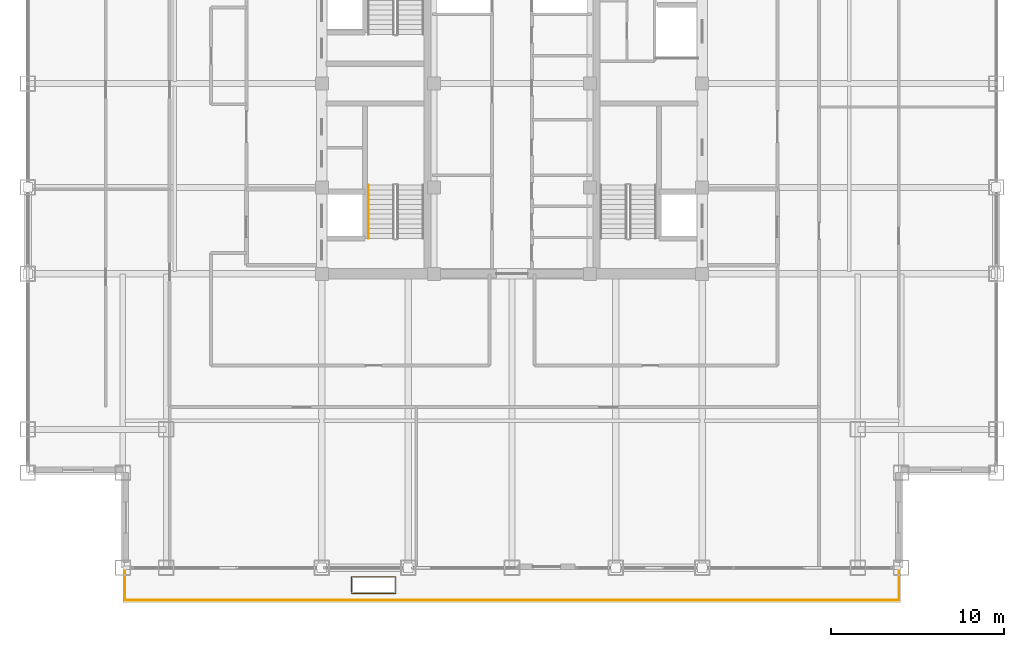
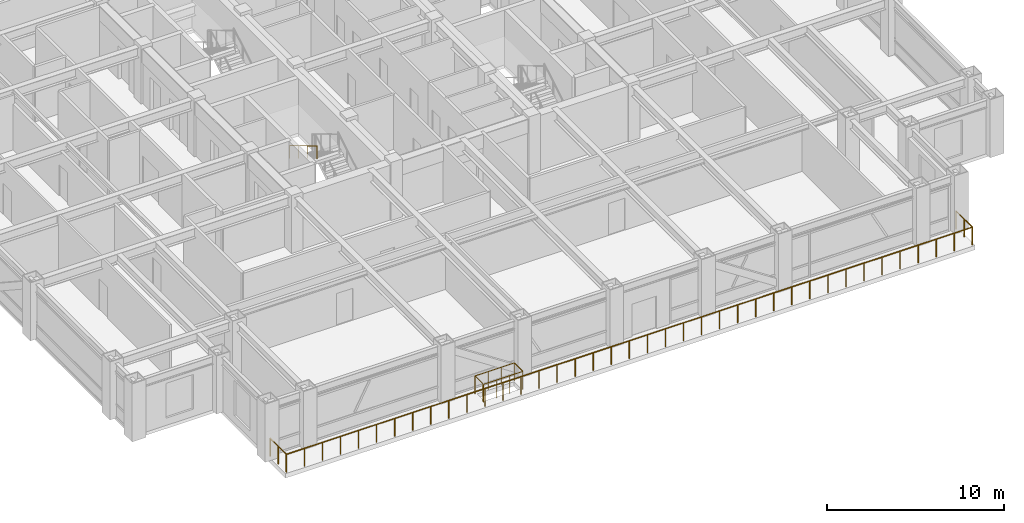
# One storey, part 30 of 32: 3 railings.
"""IFC4 building model written with IfcOpenShell, lengths in metres."""

from ifc_helpers import new_model, si_unit, direction, frame, origin, origin_2d, place, context, subcontext, project, spatial, circle, extrude, source, transform, mapped, material, type_object, element, save


model = new_model("IFC4")

# Units and contexts
model_context = context("Model", 3, precision=1e-05, world=origin(), true_north=direction((0.0, 1.0)))
body_context = subcontext(model_context, "Body", "Model", "MODEL_VIEW")
ifc_project = project(units=[si_unit("LENGTHUNIT", "METRE"), si_unit("AREAUNIT", "SQUARE_METRE"), si_unit("VOLUMEUNIT", "CUBIC_METRE"), si_unit("PLANEANGLEUNIT", "RADIAN"), si_unit("MASSUNIT", "GRAM", prefix="KILO")], contexts=[model_context])

# Site, building, storey
site_placement = place(None, origin())
site = spatial("IfcSite", under=ifc_project, at=site_placement, CompositionType="ELEMENT")
building_placement = place(site_placement, origin())
building = spatial("IfcBuilding", under=site, at=building_placement, Name="Khorayat Bourse Tower", CompositionType="ELEMENT")
storey_placement = place(building_placement, frame((0.0, 0.0, 273.5)))
storey = spatial("IfcBuildingStorey", under=building, at=storey_placement, Name="L64", CompositionType="ELEMENT", Elevation=273.5)

# Railings
ifc_material_1 = material(Name="Laminated glass and bronze balustrade", Category="glass")
railing_type_1 = type_object("IfcRailingType", Name="RLG-TERR-1250", PredefinedType="GUARDRAIL", material=ifc_material_1)
shared_shape_1 = source(origin(), body_context, "Body", "SweptSolid", [
    extrude(circle(Radius=0.02392578125, at=origin_2d()), frame((0.0, 0.0, 1.22607421875), z_axis=(1.0, 0.0, 0.0), x_axis=(0.0, 1.0, 0.0)), (0.0, 0.0, 1.0), 2.56005859375),
    extrude(circle(Radius=0.02392578125, at=origin_2d()), frame((2.56005859375, 0.0, 1.22607421875), z_axis=(0.0, 1.0, 0.0), x_axis=(-1.0, 0.0, 0.0)), (0.0, 0.0, 1.0), 0.9599609375),
    extrude(circle(Radius=0.02392578125, at=origin_2d()), frame((2.56005859375, 0.9599609375, 1.22607421875), z_axis=(-1.0, 0.0, 0.0), x_axis=(0.0, -1.0, 0.0)), (0.0, 0.0, 1.0), 2.56005859375),
    extrude(circle(Radius=0.02392578125, at=origin_2d()), frame((0.0, 0.9599609375, 1.22607421875), z_axis=(0.0, -1.0, 0.0), x_axis=(1.0, 0.0, 0.0)), (0.0, 0.0, 1.0), 0.8798828125),
    extrude(circle(Radius=0.02099609375, at=origin_2d()), origin(), (0.0, 0.0, 1.0), 1.201904296875),
    extrude(circle(Radius=0.02099609375, at=origin_2d()), frame((0.853271484375, 0.0, 0.0)), (0.0, 0.0, 1.0), 1.201904296875),
    extrude(circle(Radius=0.02099609375, at=origin_2d()), frame((1.706787109375, 0.0, 0.0)), (0.0, 0.0, 1.0), 1.201904296875),
    extrude(circle(Radius=0.02099609375, at=origin_2d()), frame((2.56005859375, 0.0, 0.0)), (0.0, 0.0, 1.0), 1.201904296875),
    extrude(circle(Radius=0.02099609375, at=origin_2d()), frame((2.56005859375, 0.9599609375, 0.0)), (0.0, 0.0, 1.0), 1.201904296875),
    extrude(circle(Radius=0.02099609375, at=origin_2d()), frame((1.706787109375, 0.9599609375, 0.0)), (0.0, 0.0, 1.0), 1.201904296875),
    extrude(circle(Radius=0.02099609375, at=origin_2d()), frame((0.853271484375, 0.9599609375, 0.0)), (0.0, 0.0, 1.0), 1.201904296875),
    extrude(circle(Radius=0.02099609375, at=origin_2d()), frame((0.0, 0.9599609375, 0.0)), (0.0, 0.0, 1.0), 1.201904296875),
    extrude(circle(Radius=0.02099609375, at=origin_2d()), frame((0.0, 0.080078125, 0.0)), (0.0, 0.0, 1.0), 1.201904296875),
])
railing_1_placement = place(storey_placement, frame((-9.280029296875, -29.47998046875, 0.0)))
element("IfcRailing", 1, at=railing_1_placement, inside=storey, type_object=railing_type_1, Name="L64 Terrace Tree-Pit Guardrail 02", PredefinedType="GUARDRAIL", context=body_context, shape_type="MappedRepresentation", body=[
    mapped(shared_shape_1, transform((0.0, 0.0, 0.0), scale=1.0)),
])
shared_shape_2 = source(origin(), body_context, "Body", "SweptSolid", [
    extrude(circle(Radius=0.02392578125, at=origin_2d()), frame((0.0, 0.0, 1.22607421875), z_axis=(0.0, -1.0, 0.0), x_axis=(1.0, 0.0, 0.0)), (0.0, 0.0, 1.0), 1.829833984375),
    extrude(circle(Radius=0.02392578125, at=origin_2d()), frame((0.0, -1.829833984375, 1.22607421875), z_axis=(1.0, 0.0, 0.0), x_axis=(0.0, 1.0, 0.0)), (0.0, 0.0, 1.0), 44.759765625),
    extrude(circle(Radius=0.02392578125, at=origin_2d()), frame((44.759765625, -1.829833984375, 1.22607421875), z_axis=(0.0, 1.0, 0.0), x_axis=(-1.0, 0.0, 0.0)), (0.0, 0.0, 1.0), 1.829833984375),
    extrude(circle(Radius=0.02099609375, at=origin_2d()), origin(), (0.0, 0.0, 1.0), 1.201904296875),
    extrude(circle(Radius=0.02099609375, at=origin_2d()), frame((0.0, -0.9150390625, 0.0)), (0.0, 0.0, 1.0), 1.201904296875),
    extrude(circle(Radius=0.02099609375, at=origin_2d()), frame((0.0, -1.829833984375, 0.0)), (0.0, 0.0, 1.0), 1.201904296875),
    extrude(circle(Radius=0.02099609375, at=origin_2d()), frame((1.177978515625, -1.829833984375, 0.0)), (0.0, 0.0, 1.0), 1.201904296875),
    extrude(circle(Radius=0.02099609375, at=origin_2d()), frame((2.355712890625, -1.829833984375, 0.0)), (0.0, 0.0, 1.0), 1.201904296875),
    extrude(circle(Radius=0.02099609375, at=origin_2d()), frame((3.53369140625, -1.829833984375, 0.0)), (0.0, 0.0, 1.0), 1.201904296875),
    extrude(circle(Radius=0.02099609375, at=origin_2d()), frame((4.711669921875, -1.829833984375, 0.0)), (0.0, 0.0, 1.0), 1.201904296875),
    extrude(circle(Radius=0.02099609375, at=origin_2d()), frame((5.889404296875, -1.829833984375, 0.0)), (0.0, 0.0, 1.0), 1.201904296875),
    extrude(circle(Radius=0.02099609375, at=origin_2d()), frame((7.0673828125, -1.829833984375, 0.0)), (0.0, 0.0, 1.0), 1.201904296875),
    extrude(circle(Radius=0.02099609375, at=origin_2d()), frame((8.2451171875, -1.829833984375, 0.0)), (0.0, 0.0, 1.0), 1.201904296875),
    extrude(circle(Radius=0.02099609375, at=origin_2d()), frame((9.423095703125, -1.829833984375, 0.0)), (0.0, 0.0, 1.0), 1.201904296875),
    extrude(circle(Radius=0.02099609375, at=origin_2d()), frame((10.60107421875, -1.829833984375, 0.0)), (0.0, 0.0, 1.0), 1.201904296875),
    extrude(circle(Radius=0.02099609375, at=origin_2d()), frame((11.77880859375, -1.829833984375, 0.0)), (0.0, 0.0, 1.0), 1.201904296875),
    extrude(circle(Radius=0.02099609375, at=origin_2d()), frame((12.956787109375, -1.829833984375, 0.0)), (0.0, 0.0, 1.0), 1.201904296875),
    extrude(circle(Radius=0.02099609375, at=origin_2d()), frame((14.134765625, -1.829833984375, 0.0)), (0.0, 0.0, 1.0), 1.201904296875),
    extrude(circle(Radius=0.02099609375, at=origin_2d()), frame((15.3125, -1.829833984375, 0.0)), (0.0, 0.0, 1.0), 1.201904296875),
    extrude(circle(Radius=0.02099609375, at=origin_2d()), frame((16.490478515625, -1.829833984375, 0.0)), (0.0, 0.0, 1.0), 1.201904296875),
    extrude(circle(Radius=0.02099609375, at=origin_2d()), frame((17.668212890625, -1.829833984375, 0.0)), (0.0, 0.0, 1.0), 1.201904296875),
    extrude(circle(Radius=0.02099609375, at=origin_2d()), frame((18.84619140625, -1.829833984375, 0.0)), (0.0, 0.0, 1.0), 1.201904296875),
    extrude(circle(Radius=0.02099609375, at=origin_2d()), frame((20.024169921875, -1.829833984375, 0.0)), (0.0, 0.0, 1.0), 1.201904296875),
    extrude(circle(Radius=0.02099609375, at=origin_2d()), frame((21.201904296875, -1.829833984375, 0.0)), (0.0, 0.0, 1.0), 1.201904296875),
    extrude(circle(Radius=0.02099609375, at=origin_2d()), frame((22.3798828125, -1.829833984375, 0.0)), (0.0, 0.0, 1.0), 1.201904296875),
    extrude(circle(Radius=0.02099609375, at=origin_2d()), frame((23.557861328125, -1.829833984375, 0.0)), (0.0, 0.0, 1.0), 1.201904296875),
    extrude(circle(Radius=0.02099609375, at=origin_2d()), frame((24.735595703125, -1.829833984375, 0.0)), (0.0, 0.0, 1.0), 1.201904296875),
    extrude(circle(Radius=0.02099609375, at=origin_2d()), frame((25.91357421875, -1.829833984375, 0.0)), (0.0, 0.0, 1.0), 1.201904296875),
    extrude(circle(Radius=0.02099609375, at=origin_2d()), frame((27.091552734375, -1.829833984375, 0.0)), (0.0, 0.0, 1.0), 1.201904296875),
    extrude(circle(Radius=0.02099609375, at=origin_2d()), frame((28.269287109375, -1.829833984375, 0.0)), (0.0, 0.0, 1.0), 1.201904296875),
    extrude(circle(Radius=0.02099609375, at=origin_2d()), frame((29.447265625, -1.829833984375, 0.0)), (0.0, 0.0, 1.0), 1.201904296875),
    extrude(circle(Radius=0.02099609375, at=origin_2d()), frame((30.625, -1.829833984375, 0.0)), (0.0, 0.0, 1.0), 1.201904296875),
    extrude(circle(Radius=0.02099609375, at=origin_2d()), frame((31.802978515625, -1.829833984375, 0.0)), (0.0, 0.0, 1.0), 1.201904296875),
    extrude(circle(Radius=0.02099609375, at=origin_2d()), frame((32.98095703125, -1.829833984375, 0.0)), (0.0, 0.0, 1.0), 1.201904296875),
    extrude(circle(Radius=0.02099609375, at=origin_2d()), frame((34.15869140625, -1.829833984375, 0.0)), (0.0, 0.0, 1.0), 1.201904296875),
    extrude(circle(Radius=0.02099609375, at=origin_2d()), frame((35.336669921875, -1.829833984375, 0.0)), (0.0, 0.0, 1.0), 1.201904296875),
    extrude(circle(Radius=0.02099609375, at=origin_2d()), frame((36.5146484375, -1.829833984375, 0.0)), (0.0, 0.0, 1.0), 1.201904296875),
    extrude(circle(Radius=0.02099609375, at=origin_2d()), frame((37.6923828125, -1.829833984375, 0.0)), (0.0, 0.0, 1.0), 1.201904296875),
    extrude(circle(Radius=0.02099609375, at=origin_2d()), frame((38.870361328125, -1.829833984375, 0.0)), (0.0, 0.0, 1.0), 1.201904296875),
    extrude(circle(Radius=0.02099609375, at=origin_2d()), frame((40.048095703125, -1.829833984375, 0.0)), (0.0, 0.0, 1.0), 1.201904296875),
    extrude(circle(Radius=0.02099609375, at=origin_2d()), frame((41.22607421875, -1.829833984375, 0.0)), (0.0, 0.0, 1.0), 1.201904296875),
    extrude(circle(Radius=0.02099609375, at=origin_2d()), frame((42.404052734375, -1.829833984375, 0.0)), (0.0, 0.0, 1.0), 1.201904296875),
    extrude(circle(Radius=0.02099609375, at=origin_2d()), frame((43.581787109375, -1.829833984375, 0.0)), (0.0, 0.0, 1.0), 1.201904296875),
    extrude(circle(Radius=0.02099609375, at=origin_2d()), frame((44.759765625, -1.829833984375, 0.0)), (0.0, 0.0, 1.0), 1.201904296875),
    extrude(circle(Radius=0.02099609375, at=origin_2d()), frame((44.759765625, -0.9150390625, 0.0)), (0.0, 0.0, 1.0), 1.201904296875),
    extrude(circle(Radius=0.02099609375, at=origin_2d()), frame((44.759765625, 0.0, 0.0)), (0.0, 0.0, 1.0), 1.201904296875),
])
railing_2_placement = place(storey_placement, frame((-22.3798828125, -28.050048828125, 0.0)))
element("IfcRailing", 2, at=railing_2_placement, inside=storey, type_object=railing_type_1, Name="L64 South Setback Terrace Guardrail", PredefinedType="GUARDRAIL", context=body_context, shape_type="MappedRepresentation", body=[
    mapped(shared_shape_2, transform((0.0, 0.0, 0.0), scale=1.0)),
])
ifc_material_2 = material(Name="Brushed bronze stainless-steel handrail", Category="steel")
railing_type_2 = type_object("IfcRailingType", Name="RLG-HAND-900", PredefinedType="HANDRAIL", material=ifc_material_2)
shared_shape_3 = source(origin(), body_context, "Body", "SweptSolid", [
    extrude(circle(Radius=0.02392578125, at=origin_2d()), frame((0.0, 0.0, 0.8759765625), z_axis=(0.0, -0.859290745958, 0.51148745235), x_axis=(1.0, 0.0, 0.0)), (0.0, 0.0, 1.0), 3.584228515625),
    extrude(circle(Radius=0.02099609375, at=origin_2d()), origin(), (0.0, 0.0, 1.0), 0.851806640625),
    extrude(circle(Radius=0.02099609375, at=origin_2d()), frame((0.0, -1.026611328125, 0.611083984375)), (0.0, 0.0, 1.0), 0.851806640625),
    extrude(circle(Radius=0.02099609375, at=origin_2d()), frame((0.0, -2.05322265625, 1.22216796875)), (0.0, 0.0, 1.0), 0.851806640625),
    extrude(circle(Radius=0.02099609375, at=origin_2d()), frame((0.0, -3.079833984375, 1.833251953125)), (0.0, 0.0, 1.0), 0.851806640625),
])
railing_3_placement = place(storey_placement, frame((-8.300048828125, -5.8701171875, 2.166748046875)))
element("IfcRailing", 3, at=railing_3_placement, inside=storey, type_object=railing_type_2, Name="L64 ST-1 stair handrail 2", PredefinedType="HANDRAIL", context=body_context, shape_type="MappedRepresentation", body=[
    mapped(shared_shape_3, transform((0.0, 0.0, 0.0), scale=1.0)),
])

save(model, "model.ifc")
